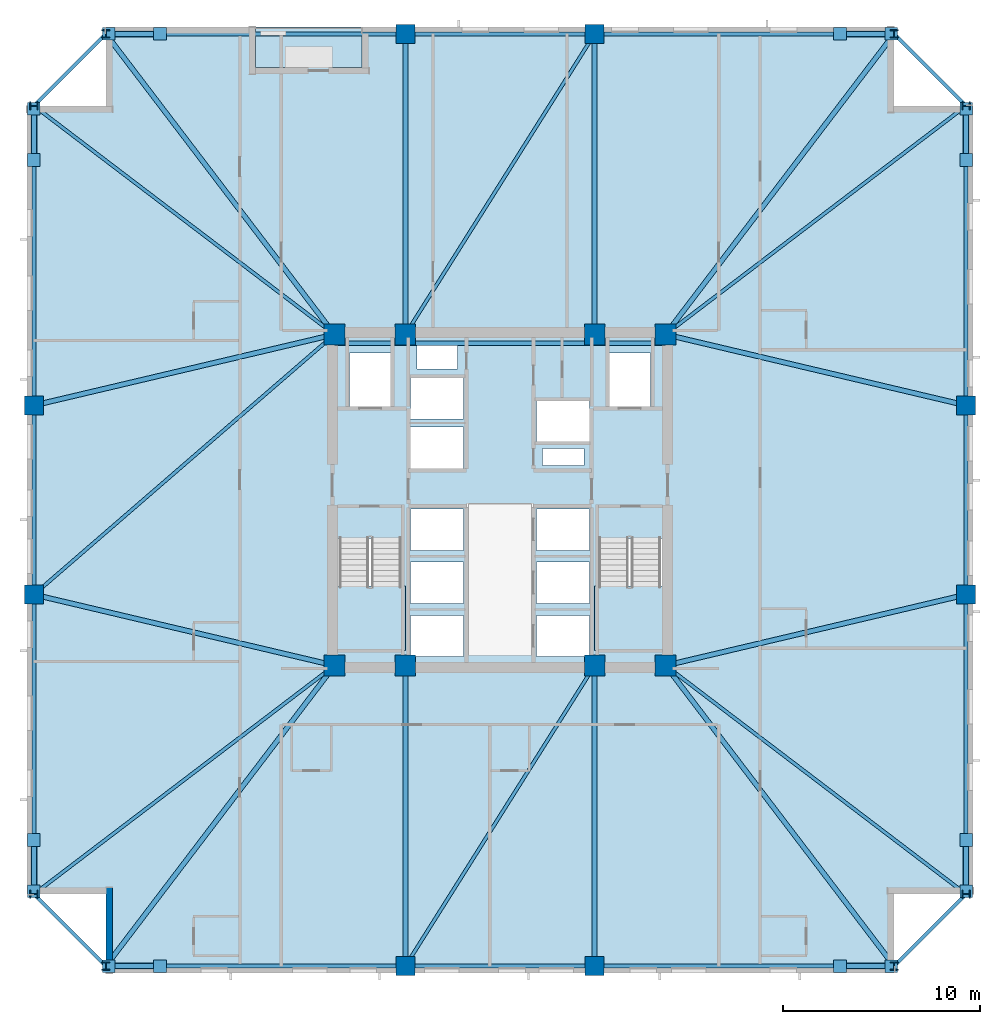
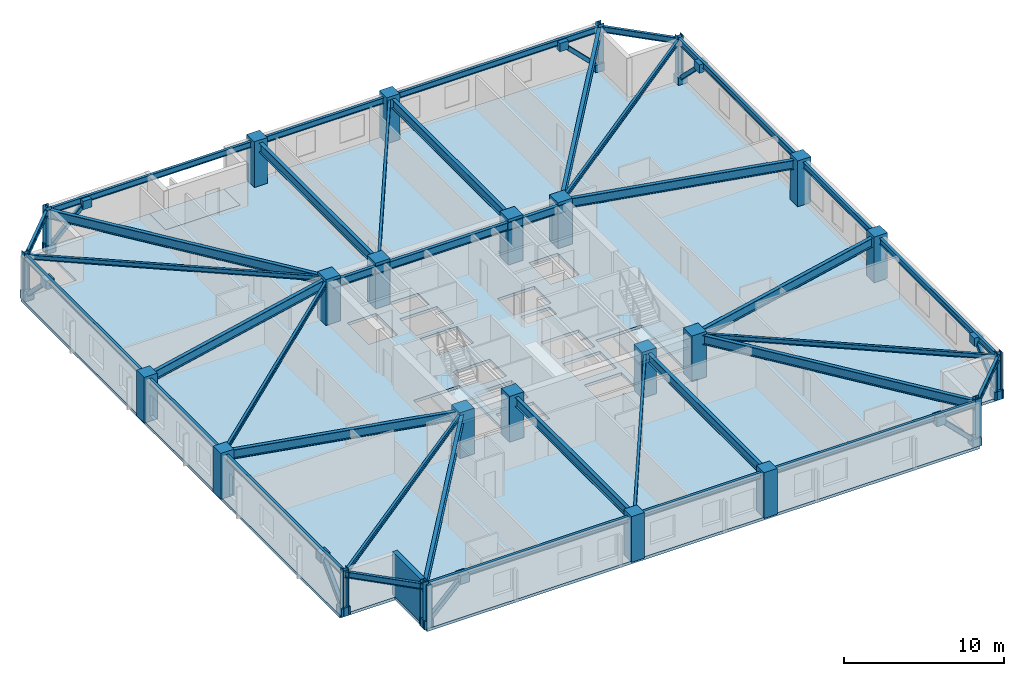
# One storey, part 1 of 11: 38 beams, 24 columns, 16 plates, 8 members, 4 slabs, 1 wall, 2 elements without a shape of their own.
"""IFC4 building model written with IfcOpenShell, lengths in metres."""

import ifcopenshell
import ifcopenshell.guid

model = None  # the IFC model being written
_history = None  # IfcOwnerHistory: only IFC2X3 demands one
_inside = {}  # id of a spatial element -> (the spatial element, [elements in it])
_under = {}  # id of a project, library or spatial element -> (it, [spatial elements below it])
_declared = {}  # id of a project -> (the project, [libraries it declares])
_typed = {}  # id of a type object -> (the type object, [elements of that type])
_made_of = {}  # id of a material, layer set ... -> (it, [elements and type objects made of it])


def new_model(schema):
    """Start an empty IFC model of exactly this schema.

    Asked for "IFC4X3", IfcOpenShell would pick the latest addendum, in which some entities
    have other attributes; the version numbers below select the first issue.
    IFC2X3 requires an IfcOwnerHistory on every rooted entity: one is made here for all.
    """
    global model, _history
    if schema == "IFC4X3":
        model = ifcopenshell.file(schema_version=(4, 3, 0, 0))
    else:
        model = ifcopenshell.file(schema=schema)
    _inside.clear()
    _under.clear()
    _declared.clear()
    _typed.clear()
    _made_of.clear()
    _history = None
    if model.schema == "IFC2X3":
        org = make("IfcOrganization", Name="unknown")
        user = make(
            "IfcPersonAndOrganization",
            ThePerson=make("IfcPerson", FamilyName="unknown"),
            TheOrganization=org,
        )
        app = make(
            "IfcApplication",
            ApplicationDeveloper=org,
            Version="unknown",
            ApplicationFullName="unknown",
            ApplicationIdentifier="unknown",
        )
        _history = make(
            "IfcOwnerHistory",
            OwningUser=user,
            OwningApplication=app,
            ChangeAction="ADDED",
            CreationDate=0,
        )
    return model


def make(cls, **values):
    """One entity of the class cls with the attributes given. An attribute that is None is left unset."""
    return model.create_entity(
        cls, **{name: value for name, value in values.items() if value is not None}
    )


def rooted(cls, **values):
    """An entity with a GlobalId (a new one), such as an element, a storey or a relation."""
    return make(cls, GlobalId=ifcopenshell.guid.new(), OwnerHistory=_history, **values)


def si_unit(unit_type, name, prefix=None):
    """IfcSIUnit, for example si_unit("LENGTHUNIT", "METRE", prefix="MILLI")."""
    return make("IfcSIUnit", UnitType=unit_type, Prefix=prefix, Name=name)


def assignment(units):
    """IfcUnitAssignment: the units of a project."""
    return None if units is None else make("IfcUnitAssignment", Units=units)


def point(xyz):
    """IfcCartesianPoint."""
    return None if xyz is None else make("IfcCartesianPoint", Coordinates=xyz)


def direction(xyz):
    """IfcDirection."""
    return None if xyz is None else make("IfcDirection", DirectionRatios=xyz)


def frame(location, z_axis=None, x_axis=None):
    """IfcAxis2Placement3D, a coordinate frame: its origin and axes. An axis left out is left unset."""
    return make(
        "IfcAxis2Placement3D",
        Location=point(location),
        Axis=direction(z_axis),
        RefDirection=direction(x_axis),
    )


def frame_2d(location, x_axis=None):
    """IfcAxis2Placement2D, a coordinate frame in the plane: its origin and x axis."""
    return make(
        "IfcAxis2Placement2D", Location=point(location), RefDirection=direction(x_axis)
    )


def origin():
    """The frame at (0, 0, 0) with its axes left unset."""
    return frame((0.0, 0.0, 0.0))


def origin_2d():
    """The frame at (0, 0) in the plane with its x axis left unset."""
    return frame_2d((0.0, 0.0))


def place(relative_to, where):
    """IfcLocalPlacement: puts the frame where relative to a parent placement (None: the world)."""
    return make(
        "IfcLocalPlacement", PlacementRelTo=relative_to, RelativePlacement=where
    )


def context(
    kind, dimensions, precision=None, world=None, true_north=None, identifier=None
):
    """IfcGeometricRepresentationContext, for example the 3D "Model" context."""
    return make(
        "IfcGeometricRepresentationContext",
        ContextIdentifier=identifier,
        ContextType=kind,
        CoordinateSpaceDimension=dimensions,
        Precision=precision,
        WorldCoordinateSystem=world,
        TrueNorth=true_north,
    )


def subcontext(parent, identifier, kind, view, scale=None):
    """IfcGeometricRepresentationSubContext, for example "Body" below "Model"."""
    return make(
        "IfcGeometricRepresentationSubContext",
        ContextIdentifier=identifier,
        ContextType=kind,
        ParentContext=parent,
        TargetScale=scale,
        TargetView=view,
    )


def project(units=None, contexts=None):
    """IfcProject with its units and contexts."""
    return rooted(
        "IfcProject",
        Name="project",
        RepresentationContexts=contexts,
        UnitsInContext=assignment(units),
    )


def spatial(cls, under=None, at=None, **own):
    """A site, building, storey or space (cls), placed at a placement, below another one or the project."""
    s = rooted(cls, ObjectPlacement=at, **own)
    if under is not None:
        _under.setdefault(under.id(), (under, []))[1].append(s)
    return s


def polyline(points):
    """IfcPolyline through the points."""
    return make("IfcPolyline", Points=[point(p) for p in points])


def profile(cls, at=None, kind="AREA", **sizes):
    """A parametric profile (cls). Its sizes go by their IFC names, for example OverallWidth=200.0."""
    return make(cls, ProfileType=kind, Position=at, **sizes)


def rectangle(**sizes):
    """IfcRectangleProfileDef."""
    return profile("IfcRectangleProfileDef", **sizes)


def hollow_rectangle(**sizes):
    """IfcRectangleHollowProfileDef."""
    return profile("IfcRectangleHollowProfileDef", **sizes)


def i_section(**sizes):
    """IfcIShapeProfileDef."""
    return profile("IfcIShapeProfileDef", **sizes)


def outline(outer, holes=None, kind="AREA"):
    """IfcArbitraryClosedProfileDef: a profile drawn as a closed curve; with holes, ...WithVoids."""
    if holes is None:
        return make("IfcArbitraryClosedProfileDef", ProfileType=kind, OuterCurve=outer)
    return make(
        "IfcArbitraryProfileDefWithVoids",
        ProfileType=kind,
        OuterCurve=outer,
        InnerCurves=holes,
    )


def extrude(swept, where, along, depth):
    """IfcExtrudedAreaSolid: the profile swept, set in the frame where, extruded along a direction by depth."""
    return make(
        "IfcExtrudedAreaSolid",
        SweptArea=swept,
        Position=where,
        ExtrudedDirection=direction(along),
        Depth=depth,
    )


def shape(context_of_items, identifier, shape_type, items):
    """IfcShapeRepresentation: the items that make up one representation, for example the "Body"."""
    return make(
        "IfcShapeRepresentation",
        ContextOfItems=context_of_items,
        RepresentationIdentifier=identifier,
        RepresentationType=shape_type,
        Items=items,
    )


def material(Name=None, Category=None):
    """IfcMaterial."""
    return make("IfcMaterial", Name=Name, Category=Category)


def layer(
    of_material, thickness, ventilated=None, Name=None, Category=None, Priority=None
):
    """IfcMaterialLayer: one layer of a wall or slab, of a material (None: an air gap)."""
    return make(
        "IfcMaterialLayer",
        Material=of_material,
        LayerThickness=thickness,
        IsVentilated=ventilated,
        Name=Name,
        Category=Category,
        Priority=Priority,
    )


def layer_set(layers, Name=None):
    """IfcMaterialLayerSet."""
    return make("IfcMaterialLayerSet", MaterialLayers=layers, LayerSetName=Name)


def material_profile(
    of_material, cross_section, Name=None, Category=None, Priority=None
):
    """IfcMaterialProfile: a cross section and its material."""
    return make(
        "IfcMaterialProfile",
        Name=Name,
        Material=of_material,
        Profile=cross_section,
        Priority=Priority,
        Category=Category,
    )


def profile_set(profiles, Name=None, composite=None):
    """IfcMaterialProfileSet."""
    return make(
        "IfcMaterialProfileSet",
        Name=Name,
        MaterialProfiles=profiles,
        CompositeProfile=composite,
    )


def made_of(thing, what):
    """Note that an element or type object is made of a material, layer set ...; save() writes the relation."""
    if what is not None:
        _made_of.setdefault(what.id(), (what, []))[1].append(thing)
    return thing


def type_object(cls, material=None, **own):
    """A type object (cls), such as IfcWallType, which elements share."""
    return made_of(rooted(cls, **own), material)


def element(
    cls,
    number,
    at=None,
    inside=None,
    cuts=None,
    type_object=None,
    material=None,
    context=None,
    identifier="Body",
    shape_type=None,
    held_by="IfcProductDefinitionShape",
    body=None,
    shapes=None,
    **own,
):
    """One element of the class cls, such as IfcWall. Its Tag is "e" and its number.

    at: its placement. inside: the storey or other place that contains it. cuts: it is an
    opening in that element (IfcRelVoidsElement). A single representation is given by context,
    identifier, shape_type and body (its items); several are given by shapes. held_by: the class
    of the entity that holds the representations. save() writes the other relations.
    """
    e = rooted(cls, Tag="e%d" % number, ObjectPlacement=at, **own)
    if body is not None:
        shapes = [shape(context, identifier, shape_type, body)]
    if shapes is not None:
        e.Representation = make(held_by, Representations=shapes)
    if inside is not None:
        _inside.setdefault(inside.id(), (inside, []))[1].append(e)
    if cuts is not None:
        rooted(
            "IfcRelVoidsElement", RelatingBuildingElement=cuts, RelatedOpeningElement=e
        )
    if type_object is not None:
        _typed.setdefault(type_object.id(), (type_object, []))[1].append(e)
    return made_of(e, material)


def aggregate(whole, parts):
    """IfcRelAggregates: a whole, such as a stair, and the parts it consists of."""
    return rooted("IfcRelAggregates", RelatingObject=whole, RelatedObjects=parts)


def save(model, path):
    """Write the relations noted so far, then the file.

    IfcRelAggregates (storeys below a building ...), IfcRelContainedInSpatialStructure (elements
    in a storey), IfcRelDefinesByType, IfcRelAssociatesMaterial and IfcRelDeclares: one each for
    every whole, place, type object, material and project.
    """
    for whole, parts in _under.values():
        aggregate(whole, parts)
    for where, things in _inside.values():
        rooted(
            "IfcRelContainedInSpatialStructure",
            RelatedElements=things,
            RelatingStructure=where,
        )
    for kind, things in _typed.values():
        rooted("IfcRelDefinesByType", RelatedObjects=things, RelatingType=kind)
    for what, things in _made_of.values():
        rooted("IfcRelAssociatesMaterial", RelatedObjects=things, RelatingMaterial=what)
    for by, libraries in _declared.values():
        rooted("IfcRelDeclares", RelatingContext=by, RelatedDefinitions=libraries)
    model.write(path)


model = new_model("IFC4")

# Units and contexts
model_context = context("Model", 3, precision=1e-05, world=origin(), true_north=direction((0.0, 1.0)))
body_context = subcontext(model_context, "Body", "Model", "MODEL_VIEW")
ifc_project = project(units=[si_unit("LENGTHUNIT", "METRE"), si_unit("AREAUNIT", "SQUARE_METRE"), si_unit("VOLUMEUNIT", "CUBIC_METRE"), si_unit("PLANEANGLEUNIT", "RADIAN"), si_unit("MASSUNIT", "GRAM", prefix="KILO")], contexts=[model_context])

# Site, building, storey
site_placement = place(None, origin())
site = spatial("IfcSite", under=ifc_project, at=site_placement, CompositionType="ELEMENT")
building_placement = place(site_placement, origin())
building = spatial("IfcBuilding", under=site, at=building_placement, Name="Cairnveth Concourse Tower", CompositionType="ELEMENT")
storey_placement = place(building_placement, frame((0.0, 0.0, 106.0)))
storey = spatial("IfcBuildingStorey", under=building, at=storey_placement, Name="L28", CompositionType="ELEMENT", Elevation=106.0)

# Columns
ifc_material_1 = material(Name="Concrete N65 (65 MPa)", Category="concrete")
ifc_material_profile_1 = material_profile(ifc_material_1, rectangle(XDim=1.050048828125, YDim=1.050048828125, at=origin_2d()), Name="RC-COL-1050x1050")
ifc_profile_set_1 = profile_set([ifc_material_profile_1], Name="Concrete N65 (65 MPa)")
column_type_1 = type_object("IfcColumnType", Name="CORE COLUMN 1050X1050", PredefinedType="COLUMN", material=ifc_profile_set_1)
for number, where, z_axis, x_axis, name in (
    (1, (43.60009765625, 30.60009765625, 0.0), (0.0, 0.0, 1.0), (1.0, 0.0, 0.0), "Column CC1 L28"),
    (2, (47.199951171875, 30.60009765625, 0.0), (0.0, 0.0, 1.0), (1.0, 0.0, 0.0), "Column CC2 L28"),
    (3, (56.800048828125, 30.60009765625, 0.0), (0.0, 0.0, 1.0), (1.0, 0.0, 0.0), "Column CC3 L28"),
    (4, (60.39990234375, 30.60009765625, 0.0), (0.0, 0.0, 1.0), (1.0, 0.0, 0.0), "Column CC4 L28"),
    (5, (43.60009765625, 47.39990234375, 0.0), (0.0, 0.0, 1.0), (1.0, 0.0, 0.0), "Column CC5 L28"),
    (6, (47.199951171875, 47.39990234375, 0.0), (0.0, 0.0, 1.0), (1.0, 0.0, 0.0), "Column CC6 L28"),
    (7, (56.800048828125, 47.39990234375, 0.0), (0.0, 0.0, 1.0), (1.0, 0.0, 0.0), "Column CC7 L28"),
    (8, (60.39990234375, 47.39990234375, 0.0), (0.0, 0.0, 1.0), (1.0, 0.0, 0.0), "Column CC8 L28"),
):
    element("IfcColumn", number, at=place(storey_placement, frame(where, z_axis=z_axis, x_axis=x_axis)), inside=storey, type_object=column_type_1, Name=name, PredefinedType="COLUMN", context=body_context, shape_type="SweptSolid", body=[
        extrude(rectangle(XDim=1.050048828125, YDim=1.050048828125, at=origin_2d()), origin(), (0.0, 0.0, 1.0), 3.5),
    ])
ifc_material_profile_2 = material_profile(ifc_material_1, rectangle(XDim=0.949951171875, YDim=0.949951171875, at=origin_2d()), Name="RC-COL-950x950")
ifc_profile_set_2 = profile_set([ifc_material_profile_2], Name="Concrete N65 (65 MPa)")
column_type_2 = type_object("IfcColumnType", Name="PERIMETER PIER COLUMN 950X950", PredefinedType="COLUMN", material=ifc_profile_set_2)
for number, where, z_axis, x_axis, name in (
    (9, (47.199951171875, 15.35009765625, 0.0), (0.0, 0.0, 1.0), (1.0, 0.0, 0.0), "Column P-S2 L28"),
    (10, (56.800048828125, 15.35009765625, 0.0), (0.0, 0.0, 1.0), (1.0, 0.0, 0.0), "Column P-S3 L28"),
    (11, (75.64990234375, 34.199951171875, 0.0), (0.0, 0.0, 1.0), (0.0, 1.0, 0.0), "Column P-E2 L28"),
    (12, (75.64990234375, 43.800048828125, 0.0), (0.0, 0.0, 1.0), (0.0, 1.0, 0.0), "Column P-E3 L28"),
    (13, (56.800048828125, 62.64990234375, 0.0), (0.0, 0.0, 1.0), (1.0, 0.0, 0.0), "Column P-N2 L28"),
    (14, (47.199951171875, 62.64990234375, 0.0), (0.0, 0.0, 1.0), (1.0, 0.0, 0.0), "Column P-N3 L28"),
    (15, (28.35009765625, 43.800048828125, 0.0), (0.0, 0.0, 1.0), (0.0, 1.0, 0.0), "Column P-W2 L28"),
    (16, (28.35009765625, 34.199951171875, 0.0), (0.0, 0.0, 1.0), (0.0, 1.0, 0.0), "Column P-W3 L28"),
):
    element("IfcColumn", number, at=place(storey_placement, frame(where, z_axis=z_axis, x_axis=x_axis)), inside=storey, type_object=column_type_2, Name=name, PredefinedType="COLUMN", context=body_context, shape_type="SweptSolid", body=[
        extrude(rectangle(XDim=0.949951171875, YDim=0.949951171875, at=origin_2d()), origin(), (0.0, 0.0, 1.0), 3.5),
    ])
ifc_material_2 = material(Name="Steel Grade 350", Category="steel")
ifc_material_profile_3 = material_profile(ifc_material_2, i_section(OverallWidth=0.39990234375, OverallDepth=0.39990234375, WebThickness=0.02197265625, FlangeThickness=0.035888671875, at=origin_2d()), Name="400WC270")
ifc_profile_set_3 = profile_set([ifc_material_profile_3], Name="Steel Grade 350")
column_type_3 = type_object("IfcColumnType", Name="WELDED STEEL COLUMN 400WC270", PredefinedType="COLUMN", material=ifc_profile_set_3)
for number, where, z_axis, x_axis, name in (
    (17, (32.0, 15.35009765625, 0.0), (0.0, 0.0, 1.0), (1.0, 0.0, 0.0), "Column P-S1 L28"),
    (18, (72.0, 15.35009765625, 0.0), (0.0, 0.0, 1.0), (1.0, 0.0, 0.0), "Column P-S4 L28"),
    (19, (75.64990234375, 19.0, 0.0), (0.0, 0.0, 1.0), (0.0, 1.0, 0.0), "Column P-E1 L28"),
    (20, (75.64990234375, 59.0, 0.0), (0.0, 0.0, 1.0), (0.0, 1.0, 0.0), "Column P-E4 L28"),
    (21, (72.0, 62.64990234375, 0.0), (0.0, 0.0, 1.0), (1.0, 0.0, 0.0), "Column P-N1 L28"),
    (22, (32.0, 62.64990234375, 0.0), (0.0, 0.0, 1.0), (1.0, 0.0, 0.0), "Column P-N4 L28"),
    (23, (28.35009765625, 59.0, 0.0), (0.0, 0.0, 1.0), (0.0, 1.0, 0.0), "Column P-W1 L28"),
    (24, (28.35009765625, 19.0, 0.0), (0.0, 0.0, 1.0), (0.0, 1.0, 0.0), "Column P-W4 L28"),
):
    element("IfcColumn", number, at=place(storey_placement, frame(where, z_axis=z_axis, x_axis=x_axis)), inside=storey, type_object=column_type_3, Name=name, PredefinedType="COLUMN", context=body_context, shape_type="SweptSolid", body=[
        extrude(i_section(OverallWidth=0.39990234375, OverallDepth=0.39990234375, WebThickness=0.02197265625, FlangeThickness=0.035888671875, at=origin_2d()), origin(), (0.0, 0.0, 1.0), 3.5),
    ])

# Beams
ifc_material_profile_4 = material_profile(ifc_material_2, i_section(OverallWidth=0.22802734375, OverallDepth=0.60693359375, WebThickness=0.01123046875, FlangeThickness=0.017333984375, FilletRadius=0.013916015625, at=origin_2d()), Name="610UB113")
ifc_profile_set_4 = profile_set([ifc_material_profile_4], Name="Steel Grade 350")
beam_type_1 = type_object("IfcBeamType", Name="CORE TIE BEAM 610UB113", PredefinedType="T_BEAM", material=ifc_profile_set_4)
for number, where, z_axis, x_axis, name in (
    (25, (43.60009765625, 46.949951171875, 2.9765625), (1.0, 0.0, 0.0), (0.0, 1.0, 0.0), "Beam CT-N1 L28"),
    (26, (56.800048828125, 46.949951171875, 2.9765625), (1.0, 0.0, 0.0), (0.0, 1.0, 0.0), "Beam CT-N3 L28"),
):
    element("IfcBeam", number, at=place(storey_placement, frame(where, z_axis=z_axis, x_axis=x_axis)), inside=storey, type_object=beam_type_1, Name=name, PredefinedType="T_BEAM", context=body_context, shape_type="SweptSolid", body=[
        extrude(i_section(OverallWidth=0.22802734375, OverallDepth=0.60693359375, WebThickness=0.01123046875, FlangeThickness=0.017333984375, FilletRadius=0.013916015625, at=origin_2d()), origin(), (0.0, 0.0, 1.0), 3.599853515625),
    ])
beam_1_placement = place(storey_placement, frame((47.199951171875, 46.949951171875, 2.9765625), z_axis=(1.0, 0.0, 0.0), x_axis=(0.0, 1.0, 0.0)))
element("IfcBeam", 27, at=beam_1_placement, inside=storey, type_object=beam_type_1, Name="Beam CT-N2 L28", PredefinedType="T_BEAM", context=body_context, shape_type="SweptSolid", body=[
    extrude(i_section(OverallWidth=0.22802734375, OverallDepth=0.60693359375, WebThickness=0.01123046875, FlangeThickness=0.017333984375, FilletRadius=0.013916015625, at=origin_2d()), origin(), (0.0, 0.0, 1.0), 9.60009765625),
])
ifc_material_profile_5 = material_profile(ifc_material_2, i_section(OverallWidth=0.172119140625, OverallDepth=0.35888671875, WebThickness=0.008056640625, FlangeThickness=0.012939453125, FilletRadius=0.010986328125, at=origin_2d()), Name="360UB56.7")
ifc_profile_set_5 = profile_set([ifc_material_profile_5], Name="Steel Grade 350")
beam_type_2 = type_object("IfcBeamType", Name="ZONE 2 FLOOR JOIST 360UB56.7", PredefinedType="JOIST", material=ifc_profile_set_5)
for number, where, z_axis, x_axis, name in (
    (28, (28.35009765625, 19.0, 3.1005859375), (0.795908242904, 0.6054172684, 0.0), (-0.6054172684, 0.795908242904, 0.0), "Beam FJ-CSW2 L28"),
    (29, (75.64990234375, 19.0, 3.1005859375), (-0.795908242904, 0.6054172684, 0.0), (-0.6054172684, -0.795908242904, 0.0), "Beam FJ-CSE2 L28"),
    (30, (75.64990234375, 59.0, 3.1005859375), (-0.795908242904, -0.6054172684, 0.0), (0.6054172684, -0.795908242904, 0.0), "Beam FJ-CNE2 L28"),
    (31, (28.35009765625, 59.0, 3.1005859375), (0.795908242904, -0.6054172684, 0.0), (0.6054172684, 0.795908242904, 0.0), "Beam FJ-CNW2 L28"),
):
    element("IfcBeam", number, at=place(storey_placement, frame(where, z_axis=z_axis, x_axis=x_axis)), inside=storey, type_object=beam_type_2, Name=name, PredefinedType="JOIST", context=body_context, shape_type="SweptSolid", body=[
        extrude(i_section(OverallWidth=0.172119140625, OverallDepth=0.35888671875, WebThickness=0.008056640625, FlangeThickness=0.012939453125, FilletRadius=0.010986328125, at=origin_2d()), origin(), (0.0, 0.0, 1.0), 19.160400390625),
    ])
for number, where, z_axis, x_axis, name in (
    (32, (47.199951171875, 15.35009765625, 3.1005859375), (0.532743557037, 0.84627672923, 0.0), (-0.84627672923, 0.532743557037, 0.0), "Beam FJ-S-M1 L28"),
    (33, (47.199951171875, 47.39990234375, 3.1005859375), (0.532743557037, 0.84627672923, 0.0), (-0.84627672923, 0.532743557037, 0.0), "Beam FJ-N-M1 L28"),
):
    element("IfcBeam", number, at=place(storey_placement, frame(where, z_axis=z_axis, x_axis=x_axis)), inside=storey, type_object=beam_type_2, Name=name, PredefinedType="JOIST", context=body_context, shape_type="SweptSolid", body=[
        extrude(i_section(OverallWidth=0.172119140625, OverallDepth=0.35888671875, WebThickness=0.008056640625, FlangeThickness=0.012939453125, FilletRadius=0.010986328125, at=origin_2d()), origin(), (0.0, 0.0, 1.0), 18.02001953125),
    ])
beam_2_placement = place(storey_placement, frame((28.35009765625, 34.199951171875, 3.1005859375), z_axis=(0.756099107057, 0.654457134049, 0.0), x_axis=(-0.654457134049, 0.756099107057, 0.0)))
element("IfcBeam", 34, at=beam_2_placement, inside=storey, type_object=beam_type_2, Name="Beam FJ-W-M1 L28", PredefinedType="JOIST", context=body_context, shape_type="SweptSolid", body=[
    extrude(i_section(OverallWidth=0.172119140625, OverallDepth=0.35888671875, WebThickness=0.008056640625, FlangeThickness=0.012939453125, FilletRadius=0.010986328125, at=origin_2d()), origin(), (0.0, 0.0, 1.0), 20.16943359375),
])

# Members
ifc_material_3 = material(Name="Steel C350L0 (350 MPa)", Category="steel")
ifc_material_profile_6 = material_profile(ifc_material_3, hollow_rectangle(XDim=0.300048828125, YDim=0.300048828125, WallThickness=0.01611328125, InnerFilletRadius=0.01611328125, OuterFilletRadius=0.031982421875, at=origin_2d()), Name="300x300x16.0SHS")
ifc_profile_set_6 = profile_set([ifc_material_profile_6], Name="Steel C350L0 (350 MPa)")
member_type = type_object("IfcMemberType", Name="ZONE 2 PIER BRACE 300X300X16SHS", PredefinedType="BRACE", material=ifc_profile_set_6)
for number, where, z_axis, x_axis, name in (
    (35, (32.14990234375, 15.35009765625, 0.25), (0.709834195787, 0.0, 0.704368805735), (0.0, 1.0, 0.0), "Structural Brace PB-S1 L28"),
    (36, (71.85009765625, 15.35009765625, 0.25), (-0.709834195787, 0.0, 0.704368805735), (0.0, -1.0, 0.0), "Structural Brace PB-S2 L28"),
    (37, (32.14990234375, 62.64990234375, 0.25), (0.709834195787, 0.0, 0.704368805735), (0.0, 1.0, 0.0), "Structural Brace PB-N1 L28"),
    (38, (71.85009765625, 62.64990234375, 0.25), (-0.709834195787, 0.0, 0.704368805735), (0.0, -1.0, 0.0), "Structural Brace PB-N2 L28"),
    (39, (28.35009765625, 19.14990234375, 0.25), (0.0, 0.709834195787, 0.704368805735), (-1.0, 0.0, 0.0), "Structural Brace PB-W1 L28"),
    (40, (28.35009765625, 58.85009765625, 0.25), (0.0, -0.709834195787, 0.704368805735), (1.0, 0.0, 0.0), "Structural Brace PB-W2 L28"),
    (41, (75.64990234375, 19.14990234375, 0.25), (0.0, 0.709834195787, 0.704368805735), (-1.0, 0.0, 0.0), "Structural Brace PB-E1 L28"),
    (42, (75.64990234375, 58.85009765625, 0.25), (0.0, -0.709834195787, 0.704368805735), (1.0, 0.0, 0.0), "Structural Brace PB-E2 L28"),
):
    element("IfcMember", number, at=place(storey_placement, frame(where, z_axis=z_axis, x_axis=x_axis)), inside=storey, type_object=member_type, Name=name, PredefinedType="BRACE", context=body_context, shape_type="SweptSolid", body=[
        extrude(hollow_rectangle(XDim=0.300048828125, YDim=0.300048828125, WallThickness=0.01611328125, InnerFilletRadius=0.01611328125, OuterFilletRadius=0.031982421875, at=origin_2d()), origin(), (0.0, 0.0, 1.0), 3.6630859375),
    ])

# Beams
ifc_material_profile_7 = material_profile(ifc_material_2, i_section(OverallWidth=0.25, OverallDepth=0.699951171875, WebThickness=0.011962890625, FlangeThickness=0.028076171875, at=origin_2d()), Name="700WB173")
ifc_profile_set_7 = profile_set([ifc_material_profile_7], Name="Steel Grade 350")
beam_type_3 = type_object("IfcBeamType", Name="ZONE 2 RADIAL GIRDER 700WB173", PredefinedType="BEAM", material=ifc_profile_set_7)
for number, where, z_axis, x_axis, name in (
    (43, (47.199951171875, 15.35009765625, 2.929931640625), (0.0, 1.0, 0.0), (-1.0, 0.0, 0.0), "Beam RG-S1 L28"),
    (44, (56.800048828125, 15.35009765625, 2.929931640625), (0.0, 1.0, 0.0), (-1.0, 0.0, 0.0), "Beam RG-S2 L28"),
    (45, (47.199951171875, 47.39990234375, 2.929931640625), (0.0, 1.0, 0.0), (-1.0, 0.0, 0.0), "Beam RG-N1 L28"),
    (46, (56.800048828125, 47.39990234375, 2.929931640625), (0.0, 1.0, 0.0), (-1.0, 0.0, 0.0), "Beam RG-N2 L28"),
):
    element("IfcBeam", number, at=place(storey_placement, frame(where, z_axis=z_axis, x_axis=x_axis)), inside=storey, type_object=beam_type_3, Name=name, PredefinedType="BEAM", context=body_context, shape_type="SweptSolid", body=[
        extrude(i_section(OverallWidth=0.25, OverallDepth=0.699951171875, WebThickness=0.011962890625, FlangeThickness=0.028076171875, at=origin_2d()), origin(), (0.0, 0.0, 1.0), 15.25),
    ])
for number, where, z_axis, x_axis, name in (
    (47, (28.35009765625, 34.199951171875, 2.929931640625), (0.973251602929, -0.229741849468, 0.0), (0.229741849468, 0.973251602929, 0.0), "Beam RG-W1 L28"),
    (48, (28.35009765625, 43.800048828125, 2.929931640625), (0.973251602929, 0.229741849468, 0.0), (-0.229741849468, 0.973251602929, 0.0), "Beam RG-W2 L28"),
    (49, (60.39990234375, 30.60009765625, 2.929931640625), (0.973251602929, 0.229741849468, 0.0), (-0.229741849468, 0.973251602929, 0.0), "Beam RG-E1 L28"),
    (50, (60.39990234375, 47.39990234375, 2.929931640625), (0.973251602929, -0.229741849468, 0.0), (0.229741849468, 0.973251602929, 0.0), "Beam RG-E2 L28"),
):
    element("IfcBeam", number, at=place(storey_placement, frame(where, z_axis=z_axis, x_axis=x_axis)), inside=storey, type_object=beam_type_3, Name=name, PredefinedType="BEAM", context=body_context, shape_type="SweptSolid", body=[
        extrude(i_section(OverallWidth=0.25, OverallDepth=0.699951171875, WebThickness=0.011962890625, FlangeThickness=0.028076171875, at=origin_2d()), origin(), (0.0, 0.0, 1.0), 15.669189453125),
    ])
for number, where, z_axis, x_axis, name in (
    (51, (32.0, 15.35009765625, 2.929931640625), (0.6054172684, 0.795908242904, 0.0), (-0.795908242904, 0.6054172684, 0.0), "Beam RG-CSW L28"),
    (52, (72.0, 15.35009765625, 2.929931640625), (-0.6054172684, 0.795908242904, 0.0), (-0.795908242904, -0.6054172684, 0.0), "Beam RG-CSE L28"),
    (53, (72.0, 62.64990234375, 2.929931640625), (-0.6054172684, -0.795908242904, 0.0), (0.795908242904, -0.6054172684, 0.0), "Beam RG-CNE L28"),
    (54, (32.0, 62.64990234375, 2.929931640625), (0.6054172684, -0.795908242904, 0.0), (0.795908242904, 0.6054172684, 0.0), "Beam RG-CNW L28"),
):
    element("IfcBeam", number, at=place(storey_placement, frame(where, z_axis=z_axis, x_axis=x_axis)), inside=storey, type_object=beam_type_3, Name=name, PredefinedType="BEAM", context=body_context, shape_type="SweptSolid", body=[
        extrude(i_section(OverallWidth=0.25, OverallDepth=0.699951171875, WebThickness=0.011962890625, FlangeThickness=0.028076171875, at=origin_2d()), origin(), (0.0, 0.0, 1.0), 19.160400390625),
    ])
ifc_material_profile_8 = material_profile(ifc_material_2, i_section(OverallWidth=0.18994140625, OverallDepth=0.45703125, WebThickness=0.009033203125, FlangeThickness=0.014404296875, FilletRadius=0.010986328125, at=origin_2d()), Name="460UB74.6")
ifc_profile_set_8 = profile_set([ifc_material_profile_8], Name="Steel Grade 350")
beam_type_4 = type_object("IfcBeamType", Name="ZONE 2 SPANDREL BEAM 460UB74.6", PredefinedType="SPANDREL", material=ifc_profile_set_8)
beam_3_placement = place(storey_placement, frame((32.0, 15.35009765625, 3.051513671875), z_axis=(1.0, 0.0, 0.0), x_axis=(0.0, 1.0, 0.0)))
element("IfcBeam", 55, at=beam_3_placement, inside=storey, type_object=beam_type_4, Name="Beam SP-S1 L28", PredefinedType="SPANDREL", context=body_context, shape_type="SweptSolid", body=[
    extrude(i_section(OverallWidth=0.18994140625, OverallDepth=0.45703125, WebThickness=0.009033203125, FlangeThickness=0.014404296875, FilletRadius=0.010986328125, at=origin_2d()), origin(), (0.0, 0.0, 1.0), 15.199951171875),
])
beam_4_placement = place(storey_placement, frame((47.199951171875, 15.35009765625, 3.051513671875), z_axis=(1.0, 0.0, 0.0), x_axis=(0.0, 1.0, 0.0)))
element("IfcBeam", 56, at=beam_4_placement, inside=storey, type_object=beam_type_4, Name="Beam SP-S2 L28", PredefinedType="SPANDREL", context=body_context, shape_type="SweptSolid", body=[
    extrude(i_section(OverallWidth=0.18994140625, OverallDepth=0.45703125, WebThickness=0.009033203125, FlangeThickness=0.014404296875, FilletRadius=0.010986328125, at=origin_2d()), origin(), (0.0, 0.0, 1.0), 9.60009765625),
])
for number, where, z_axis, x_axis, name in (
    (57, (56.800048828125, 15.35009765625, 3.051513671875), (1.0, 0.0, 0.0), (0.0, 1.0, 0.0), "Beam SP-S3 L28"),
    (58, (32.0, 62.64990234375, 3.051513671875), (1.0, 0.0, 0.0), (0.0, 1.0, 0.0), "Beam SP-N1 L28"),
):
    element("IfcBeam", number, at=place(storey_placement, frame(where, z_axis=z_axis, x_axis=x_axis)), inside=storey, type_object=beam_type_4, Name=name, PredefinedType="SPANDREL", context=body_context, shape_type="SweptSolid", body=[
        extrude(i_section(OverallWidth=0.18994140625, OverallDepth=0.45703125, WebThickness=0.009033203125, FlangeThickness=0.014404296875, FilletRadius=0.010986328125, at=origin_2d()), origin(), (0.0, 0.0, 1.0), 15.199951171875),
    ])
beam_5_placement = place(storey_placement, frame((47.199951171875, 62.64990234375, 3.051513671875), z_axis=(1.0, 0.0, 0.0), x_axis=(0.0, 1.0, 0.0)))
element("IfcBeam", 59, at=beam_5_placement, inside=storey, type_object=beam_type_4, Name="Beam SP-N2 L28", PredefinedType="SPANDREL", context=body_context, shape_type="SweptSolid", body=[
    extrude(i_section(OverallWidth=0.18994140625, OverallDepth=0.45703125, WebThickness=0.009033203125, FlangeThickness=0.014404296875, FilletRadius=0.010986328125, at=origin_2d()), origin(), (0.0, 0.0, 1.0), 9.60009765625),
])
for number, where, z_axis, x_axis, name in (
    (60, (56.800048828125, 62.64990234375, 3.051513671875), (1.0, 0.0, 0.0), (0.0, 1.0, 0.0), "Beam SP-N3 L28"),
    (61, (28.35009765625, 19.0, 3.051513671875), (0.0, 1.0, 0.0), (-1.0, 0.0, 0.0), "Beam SP-W1 L28"),
):
    element("IfcBeam", number, at=place(storey_placement, frame(where, z_axis=z_axis, x_axis=x_axis)), inside=storey, type_object=beam_type_4, Name=name, PredefinedType="SPANDREL", context=body_context, shape_type="SweptSolid", body=[
        extrude(i_section(OverallWidth=0.18994140625, OverallDepth=0.45703125, WebThickness=0.009033203125, FlangeThickness=0.014404296875, FilletRadius=0.010986328125, at=origin_2d()), origin(), (0.0, 0.0, 1.0), 15.199951171875),
    ])
beam_6_placement = place(storey_placement, frame((28.35009765625, 34.199951171875, 3.051513671875), z_axis=(0.0, 1.0, 0.0), x_axis=(-1.0, 0.0, 0.0)))
element("IfcBeam", 62, at=beam_6_placement, inside=storey, type_object=beam_type_4, Name="Beam SP-W2 L28", PredefinedType="SPANDREL", context=body_context, shape_type="SweptSolid", body=[
    extrude(i_section(OverallWidth=0.18994140625, OverallDepth=0.45703125, WebThickness=0.009033203125, FlangeThickness=0.014404296875, FilletRadius=0.010986328125, at=origin_2d()), origin(), (0.0, 0.0, 1.0), 9.60009765625),
])
for number, where, z_axis, x_axis, name in (
    (63, (28.35009765625, 43.800048828125, 3.051513671875), (0.0, 1.0, 0.0), (-1.0, 0.0, 0.0), "Beam SP-W3 L28"),
    (64, (75.64990234375, 19.0, 3.051513671875), (0.0, 1.0, 0.0), (-1.0, 0.0, 0.0), "Beam SP-E1 L28"),
):
    element("IfcBeam", number, at=place(storey_placement, frame(where, z_axis=z_axis, x_axis=x_axis)), inside=storey, type_object=beam_type_4, Name=name, PredefinedType="SPANDREL", context=body_context, shape_type="SweptSolid", body=[
        extrude(i_section(OverallWidth=0.18994140625, OverallDepth=0.45703125, WebThickness=0.009033203125, FlangeThickness=0.014404296875, FilletRadius=0.010986328125, at=origin_2d()), origin(), (0.0, 0.0, 1.0), 15.199951171875),
    ])
beam_7_placement = place(storey_placement, frame((75.64990234375, 34.199951171875, 3.051513671875), z_axis=(0.0, 1.0, 0.0), x_axis=(-1.0, 0.0, 0.0)))
element("IfcBeam", 65, at=beam_7_placement, inside=storey, type_object=beam_type_4, Name="Beam SP-E2 L28", PredefinedType="SPANDREL", context=body_context, shape_type="SweptSolid", body=[
    extrude(i_section(OverallWidth=0.18994140625, OverallDepth=0.45703125, WebThickness=0.009033203125, FlangeThickness=0.014404296875, FilletRadius=0.010986328125, at=origin_2d()), origin(), (0.0, 0.0, 1.0), 9.60009765625),
])
beam_8_placement = place(storey_placement, frame((75.64990234375, 43.800048828125, 3.051513671875), z_axis=(0.0, 1.0, 0.0), x_axis=(-1.0, 0.0, 0.0)))
element("IfcBeam", 66, at=beam_8_placement, inside=storey, type_object=beam_type_4, Name="Beam SP-E3 L28", PredefinedType="SPANDREL", context=body_context, shape_type="SweptSolid", body=[
    extrude(i_section(OverallWidth=0.18994140625, OverallDepth=0.45703125, WebThickness=0.009033203125, FlangeThickness=0.014404296875, FilletRadius=0.010986328125, at=origin_2d()), origin(), (0.0, 0.0, 1.0), 15.199951171875),
])
for number, where, z_axis, x_axis, name in (
    (67, (28.35009765625, 19.0, 3.051513671875), (0.707106781187, -0.707106781187, 0.0), (0.707106781187, 0.707106781187, 0.0), "Beam SP-SW L28"),
    (68, (72.0, 15.35009765625, 3.051513671875), (0.707106781187, 0.707106781187, 0.0), (-0.707106781187, 0.707106781187, 0.0), "Beam SP-SE L28"),
    (69, (72.0, 62.64990234375, 3.051513671875), (0.707106781187, -0.707106781187, 0.0), (0.707106781187, 0.707106781187, 0.0), "Beam SP-NE L28"),
    (70, (28.35009765625, 59.0, 3.051513671875), (0.707106781187, 0.707106781187, 0.0), (-0.707106781187, 0.707106781187, 0.0), "Beam SP-NW L28"),
):
    element("IfcBeam", number, at=place(storey_placement, frame(where, z_axis=z_axis, x_axis=x_axis)), inside=storey, type_object=beam_type_4, Name=name, PredefinedType="SPANDREL", context=body_context, shape_type="SweptSolid", body=[
        extrude(i_section(OverallWidth=0.18994140625, OverallDepth=0.45703125, WebThickness=0.009033203125, FlangeThickness=0.014404296875, FilletRadius=0.010986328125, at=origin_2d()), origin(), (0.0, 0.0, 1.0), 5.16162109375),
    ])

# Slab
ifc_material_4 = material(Name="Concrete N50 (50 MPa)", Category="concrete")
ifc_layer_1 = layer(ifc_material_4, 0.219970703125)
ifc_layer_set_1 = layer_set([ifc_layer_1], Name="Concrete N50 (50 MPa)")
slab_type_1 = type_object("IfcSlabType", Name="LOWER TOWER COMPOSITE SLAB 220", PredefinedType="FLOOR", material=ifc_layer_set_1)
slab_1_placement = place(storey_placement, frame((0.0, 0.0, -0.219970703125)))
element("IfcSlab", 71, at=slab_1_placement, inside=storey, type_object=slab_type_1, Name="Tower Floor Slab L28", PredefinedType="FLOOR", context=body_context, shape_type="SweptSolid", body=[
    extrude(outline(polyline([(45.0, 63.0), (45.0, 60.949951171875), (39.60009765625, 60.949951171875), (39.60009765625, 63.0), (32.0, 63.0), (32.0, 59.0), (28.0, 59.0), (28.0, 19.0), (32.0, 19.0), (32.0, 15.0), (72.0, 15.0), (72.0, 19.0), (76.0, 19.0), (76.0, 59.0), (72.0, 59.0), (72.0, 63.0), (45.0, 63.0)]), holes=[polyline([(43.760009765625, 31.360107421875), (47.06005859375, 31.360107421875), (47.06005859375, 37.0400390625), (43.760009765625, 37.0400390625), (43.760009765625, 31.360107421875)]), polyline([(56.93994140625, 31.360107421875), (60.239990234375, 31.360107421875), (60.239990234375, 37.0400390625), (56.93994140625, 37.0400390625), (56.93994140625, 31.360107421875)]), polyline([(44.3701171875, 43.75), (46.469970703125, 43.75), (46.469970703125, 46.449951171875), (44.3701171875, 46.449951171875), (44.3701171875, 43.75)]), polyline([(57.530029296875, 43.75), (59.6298828125, 43.75), (59.6298828125, 46.449951171875), (57.530029296875, 46.449951171875), (57.530029296875, 43.75)]), polyline([(47.449951171875, 31.050048828125), (50.14990234375, 31.050048828125), (50.14990234375, 33.14990234375), (47.449951171875, 33.14990234375), (47.449951171875, 31.050048828125)]), polyline([(47.449951171875, 33.75), (50.14990234375, 33.75), (50.14990234375, 35.85009765625), (47.449951171875, 35.85009765625), (47.449951171875, 33.75)]), polyline([(47.449951171875, 36.449951171875), (50.14990234375, 36.449951171875), (50.14990234375, 38.550048828125), (47.449951171875, 38.550048828125), (47.449951171875, 36.449951171875)]), polyline([(53.85009765625, 31.050048828125), (56.550048828125, 31.050048828125), (56.550048828125, 33.14990234375), (53.85009765625, 33.14990234375), (53.85009765625, 31.050048828125)]), polyline([(53.85009765625, 33.75), (56.550048828125, 33.75), (56.550048828125, 35.85009765625), (53.85009765625, 35.85009765625), (53.85009765625, 33.75)]), polyline([(53.85009765625, 36.449951171875), (56.550048828125, 36.449951171875), (56.550048828125, 38.550048828125), (53.85009765625, 38.550048828125), (53.85009765625, 36.449951171875)]), polyline([(47.449951171875, 40.60009765625), (50.14990234375, 40.60009765625), (50.14990234375, 42.699951171875), (47.449951171875, 42.699951171875), (47.449951171875, 40.60009765625)]), polyline([(47.449951171875, 43.10009765625), (50.14990234375, 43.10009765625), (50.14990234375, 45.199951171875), (47.449951171875, 45.199951171875), (47.449951171875, 43.10009765625)]), polyline([(53.85009765625, 41.949951171875), (56.550048828125, 41.949951171875), (56.550048828125, 44.050048828125), (53.85009765625, 44.050048828125), (53.85009765625, 41.949951171875)]), polyline([(47.800048828125, 45.64990234375), (49.85009765625, 45.64990234375), (49.85009765625, 47.050048828125), (47.800048828125, 47.050048828125), (47.800048828125, 45.64990234375)]), polyline([(54.14990234375, 40.75), (56.25, 40.75), (56.25, 41.6201171875), (54.14990234375, 41.6201171875), (54.14990234375, 40.75)])]), origin(), (0.0, 0.0, 1.0), 0.219970703125),
])

# Plates
ifc_layer_2 = layer(ifc_material_2, 0.031982421875)
ifc_layer_set_2 = layer_set([ifc_layer_2], Name="Steel Grade 350")
plate_type = type_object("IfcPlateType", Name="PERIMETER BRACE GUSSET PLATE 32", PredefinedType="USERDEFINED", material=ifc_layer_set_2)
for number, where, z_axis, x_axis, name in (
    (72, (32.14990234375, 15.35009765625, -0.06982421875), (0.0, 0.0, 1.0), (1.0, 0.0, 0.0), "Structural Node Plate 0481 L28"),
    (73, (34.75, 15.35009765625, 2.51025390625), (0.0, 0.0, 1.0), (1.0, 0.0, 0.0), "Structural Node Plate 0482 L28"),
    (74, (71.85009765625, 15.35009765625, -0.06982421875), (0.0, 0.0, 1.0), (1.0, 0.0, 0.0), "Structural Node Plate 0483 L28"),
    (75, (69.25, 15.35009765625, 2.51025390625), (0.0, 0.0, 1.0), (1.0, 0.0, 0.0), "Structural Node Plate 0484 L28"),
    (76, (32.14990234375, 62.64990234375, -0.06982421875), (0.0, 0.0, 1.0), (1.0, 0.0, 0.0), "Structural Node Plate 0485 L28"),
    (77, (34.75, 62.64990234375, 2.51025390625), (0.0, 0.0, 1.0), (1.0, 0.0, 0.0), "Structural Node Plate 0486 L28"),
    (78, (71.85009765625, 62.64990234375, -0.06982421875), (0.0, 0.0, 1.0), (1.0, 0.0, 0.0), "Structural Node Plate 0487 L28"),
    (79, (69.25, 62.64990234375, 2.51025390625), (0.0, 0.0, 1.0), (1.0, 0.0, 0.0), "Structural Node Plate 0488 L28"),
    (80, (28.35009765625, 19.14990234375, -0.06982421875), (0.0, 0.0, 1.0), (1.0, 0.0, 0.0), "Structural Node Plate 0489 L28"),
    (81, (28.35009765625, 21.75, 2.51025390625), (0.0, 0.0, 1.0), (1.0, 0.0, 0.0), "Structural Node Plate 0490 L28"),
    (82, (28.35009765625, 58.85009765625, -0.06982421875), (0.0, 0.0, 1.0), (1.0, 0.0, 0.0), "Structural Node Plate 0491 L28"),
    (83, (28.35009765625, 56.25, 2.51025390625), (0.0, 0.0, 1.0), (1.0, 0.0, 0.0), "Structural Node Plate 0492 L28"),
    (84, (75.64990234375, 19.14990234375, -0.06982421875), (0.0, 0.0, 1.0), (1.0, 0.0, 0.0), "Structural Node Plate 0493 L28"),
    (85, (75.64990234375, 21.75, 2.51025390625), (0.0, 0.0, 1.0), (1.0, 0.0, 0.0), "Structural Node Plate 0494 L28"),
    (86, (75.64990234375, 58.85009765625, -0.06982421875), (0.0, 0.0, 1.0), (1.0, 0.0, 0.0), "Structural Node Plate 0495 L28"),
    (87, (75.64990234375, 56.25, 2.51025390625), (0.0, 0.0, 1.0), (1.0, 0.0, 0.0), "Structural Node Plate 0496 L28"),
):
    element("IfcPlate", number, at=place(storey_placement, frame(where, z_axis=z_axis, x_axis=x_axis)), inside=storey, type_object=plate_type, Name=name, ObjectType="GUSSET PLATE", PredefinedType="USERDEFINED", context=body_context, shape_type="SweptSolid", body=[
        extrude(rectangle(XDim=0.639892578125, YDim=0.639892578125, at=origin_2d()), origin(), (0.0, 0.0, 1.0), 0.639892578125),
    ])

# Slab
ifc_layer_3 = layer(ifc_material_4, 0.18994140625)
ifc_layer_set_3 = layer_set([ifc_layer_3], Name="Concrete N50 (50 MPa)")
slab_type_2 = type_object("IfcSlabType", Name="SPIRAL OUTDOOR TERRACE SLAB 190", PredefinedType="FLOOR", material=ifc_layer_set_3)
slab_2_placement = place(storey_placement, frame((0.0, 0.0, -0.18994140625)))
element("IfcSlab", 88, at=slab_2_placement, inside=storey, type_object=slab_type_2, Name="Spiral Terrace Slab L28", PredefinedType="FLOOR", context=body_context, shape_type="SweptSolid", body=[
    extrude(outline(polyline([(39.60009765625, 60.949951171875), (45.0, 60.949951171875), (45.0, 63.0), (39.60009765625, 63.0), (39.60009765625, 60.949951171875)])), origin(), (0.0, 0.0, 1.0), 0.18994140625),
])

# Stair, slab
ifc_material_5 = material(Name="Precast concrete N50 (50 MPa)", Category="concrete")
stair_type = type_object("IfcStairType", Name="CORE DOG-LEG FIRE STAIR 1500", PredefinedType="HALF_TURN_STAIR", material=ifc_material_5)
stair_1_placement = place(storey_placement, origin())
stair_1 = element("IfcStair", 89, at=stair_1_placement, inside=storey, type_object=stair_type, Name="L28 Fire-Isolated Stair ST-1", PredefinedType="HALF_TURN_STAIR")
ifc_layer_4 = layer(ifc_material_4, 0.199951171875)
ifc_layer_set_4 = layer_set([ifc_layer_4], Name="Concrete N50 (50 MPa)")
slab_type_3 = type_object("IfcSlabType", Name="STAIR HALF LANDING SLAB 200", PredefinedType="LANDING", material=ifc_layer_set_4)
slab_3_placement = place(storey_placement, frame((0.0, 0.0, 1.550048828125)))
slab_3 = element("IfcSlab", 90, at=slab_3_placement, type_object=slab_type_3, Name="ST-1 landing 1", PredefinedType="LANDING", context=body_context, shape_type="SweptSolid", body=[
    extrude(outline(polyline([(43.6201171875, 34.639892578125), (43.6201171875, 31.3701171875), (47.199951171875, 31.3701171875), (47.199951171875, 34.639892578125), (43.6201171875, 34.639892578125)])), origin(), (0.0, 0.0, 1.0), 0.199951171875),
])
aggregate(stair_1, [slab_3])

stair_2_placement = place(storey_placement, origin())
stair_2 = element("IfcStair", 91, at=stair_2_placement, inside=storey, type_object=stair_type, Name="L28 Fire-Isolated Stair ST-2", PredefinedType="HALF_TURN_STAIR")
slab_4_placement = place(storey_placement, frame((0.0, 0.0, 1.550048828125)))
slab_4 = element("IfcSlab", 92, at=slab_4_placement, type_object=slab_type_3, Name="ST-2 landing 1", PredefinedType="LANDING", context=body_context, shape_type="SweptSolid", body=[
    extrude(outline(polyline([(56.800048828125, 34.639892578125), (56.800048828125, 31.3701171875), (60.3798828125, 31.3701171875), (60.3798828125, 34.639892578125), (56.800048828125, 34.639892578125)])), origin(), (0.0, 0.0, 1.0), 0.199951171875),
])
aggregate(stair_2, [slab_4])

# Wall
ifc_material_6 = material(Name="Hawthorn Red-Ochre Fired Clay Brick Masonry", Category="masonry")
ifc_layer_5 = layer(ifc_material_6, 0.340087890625)
ifc_layer_set_5 = layer_set([ifc_layer_5], Name="Hawthorn Red-Ochre Fired Clay Brick Masonry")
wall_type = type_object("IfcWallType", Name="ZONE 2 BRICK PIER SPANDREL WALL 340", PredefinedType="SOLIDWALL", material=ifc_layer_set_5)
wall_placement = place(storey_placement, frame((32.169921875, 15.0, 0.0), z_axis=(0.0, 0.0, 1.0), x_axis=(0.0, 1.0, 0.0)))
element("IfcWall", 93, at=wall_placement, inside=storey, type_object=wall_type, Name="Exterior Wall EW-L28-S07", PredefinedType="SOLIDWALL", context=body_context, shape_type="SweptSolid", body=[
    extrude(rectangle(XDim=4.340087890625, YDim=0.340087890625, at=frame_2d((2.169921875, 0.0))), origin(), (0.0, 0.0, 1.0), 3.280029296875),
])

save(model, "model.ifc")
